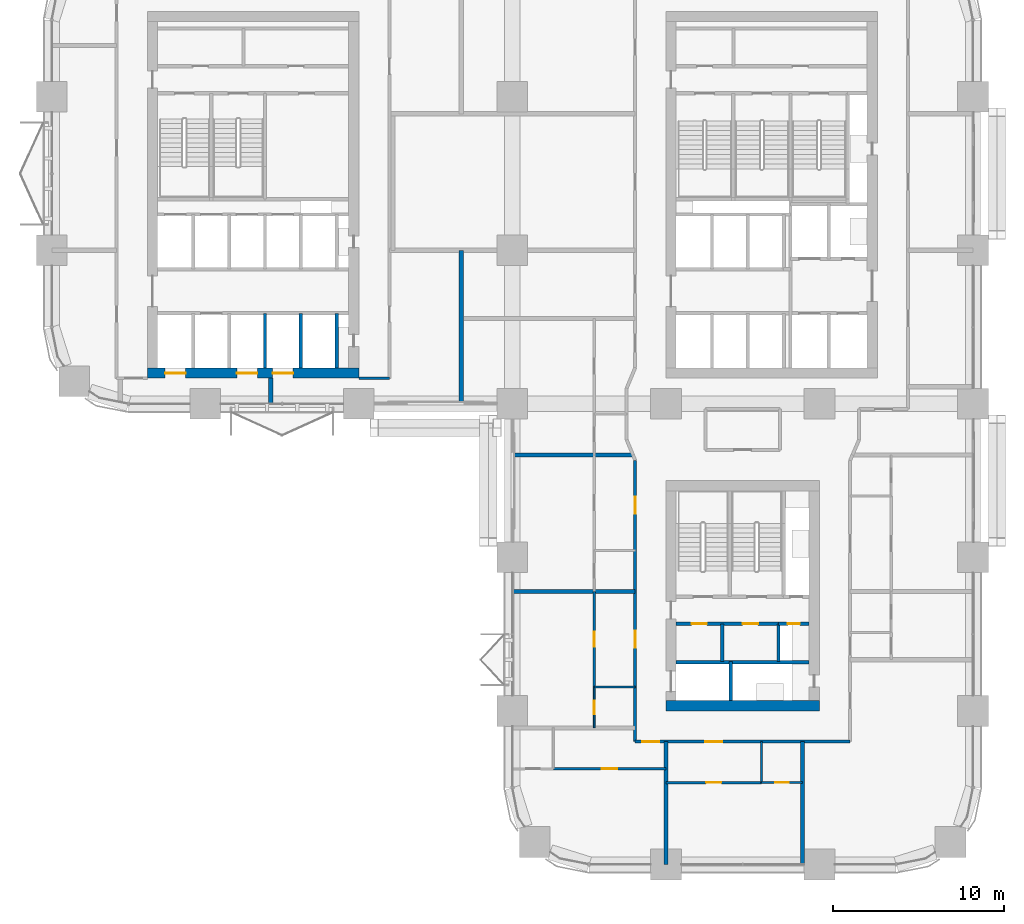
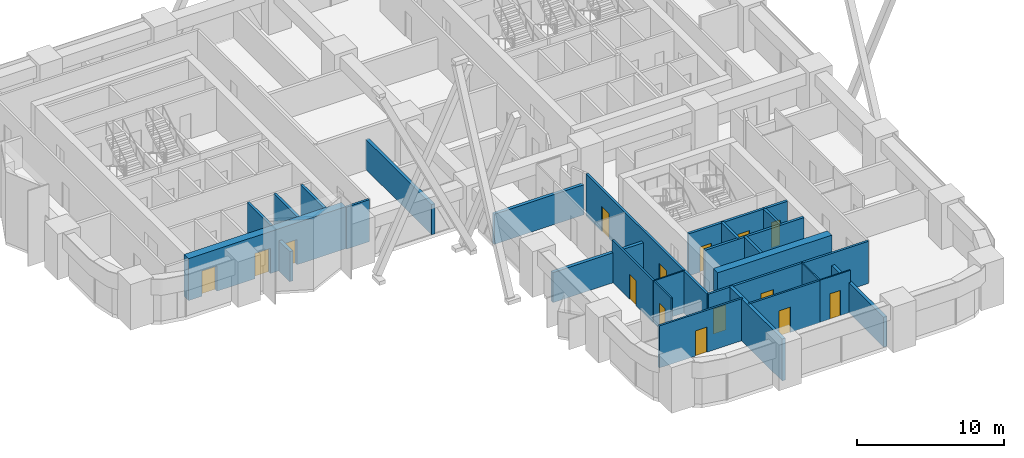
# One storey, part 12 of 19: 27 walls, 15 doors, 15 openings.
"""IFC4 building model written with IfcOpenShell, lengths in metres."""

from ifc_helpers import new_model, si_unit, direction, frame, frame_2d, origin, place, context, subcontext, project, spatial, rectangle, extrude, material, layer, layer_set, type_object, element, fill, save


model = new_model("IFC4")

# Units and contexts
model_context = context("Model", 3, precision=1e-05, world=origin(), true_north=direction((0.0, 1.0)))
body_context = subcontext(model_context, "Body", "Model", "MODEL_VIEW")
ifc_project = project(units=[si_unit("LENGTHUNIT", "METRE"), si_unit("AREAUNIT", "SQUARE_METRE"), si_unit("VOLUMEUNIT", "CUBIC_METRE"), si_unit("PLANEANGLEUNIT", "RADIAN"), si_unit("MASSUNIT", "GRAM", prefix="KILO")], contexts=[model_context])

# Site, building, storey
site_placement = place(None, origin())
site = spatial("IfcSite", under=ifc_project, at=site_placement, CompositionType="ELEMENT")
building_placement = place(site_placement, origin())
building = spatial("IfcBuilding", under=site, at=building_placement, Name="Tessera Arch", CompositionType="ELEMENT")
storey_placement = place(building_placement, frame((0.0, 0.0, 108.199951171875)))
storey = spatial("IfcBuildingStorey", under=building, at=storey_placement, Name="L25", CompositionType="ELEMENT", Elevation=108.199951171875)

# Wall
ifc_material_1 = material(Name="Gypsum board on steel stud", Category="steel")
ifc_layer_1 = layer(ifc_material_1, 0.125)
ifc_layer_set_1 = layer_set([ifc_layer_1], Name="Core partition 125 EI 60")
wall_type_1 = type_object("IfcWallType", Name="Core partition 125 EI 60", PredefinedType="PARTITIONING", material=ifc_layer_set_1)
wall_1_placement = place(storey_placement, frame((39.300048828125, 11.89990234375, 0.0), z_axis=(0.0, 0.0, 1.0), x_axis=(0.0, 1.0, 0.0)))
element("IfcWall", 1, at=wall_1_placement, inside=storey, type_object=wall_type_1, Name="L25 C3 partition wall 1", PredefinedType="PARTITIONING", context=body_context, shape_type="SweptSolid", body=[
    extrude(rectangle(XDim=2.2001953125, YDim=0.199951171875, at=frame_2d((1.10009765625, 0.0))), origin(), (0.0, 0.0, 1.0), 3.5),
])

# Wall, openings, doors
wall_2_placement = place(storey_placement, frame((36.60009765625, 14.10009765625, 0.0), z_axis=(0.0, 0.0, 1.0), x_axis=(1.0, 0.0, 0.0)))
wall_2 = element("IfcWall", 2, at=wall_2_placement, inside=storey, type_object=wall_type_1, Name="L25 C3 partition wall 9", PredefinedType="PARTITIONING", context=body_context, shape_type="SweptSolid", body=[
    extrude(rectangle(XDim=6.0, YDim=0.199951171875, at=frame_2d((3.0, 0.0))), origin(), (0.0, 0.0, 1.0), 3.5),
])
opening_1_placement = place(wall_2_placement, frame((0.89990234375, 0.0, 0.0)))
opening_1 = element("IfcOpeningElement", 3, at=opening_1_placement, cuts=wall_2, Name="Opening L25-C38", PredefinedType="OPENING", context=body_context, shape_type="SweptSolid", body=[
    extrude(rectangle(XDim=0.89990234375, YDim=2.10009765625, at=frame_2d((0.449951171875, 1.050048828125))), frame((0.0, 0.10986328125, 0.0), z_axis=(0.0, -1.0, 0.0), x_axis=(1.0, 0.0, 0.0)), (0.0, 0.0, 1.0), 0.219970703125),
])
opening_2_placement = place(wall_2_placement, frame((3.89990234375, 0.0, 0.0)))
opening_2 = element("IfcOpeningElement", 4, at=opening_2_placement, cuts=wall_2, Name="Opening L25-C39", PredefinedType="OPENING", context=body_context, shape_type="SweptSolid", body=[
    extrude(rectangle(XDim=0.89990234375, YDim=2.10009765625, at=frame_2d((0.449951171875, 1.050048828125))), frame((0.0, 0.10986328125, 0.0), z_axis=(0.0, -1.0, 0.0), x_axis=(1.0, 0.0, 0.0)), (0.0, 0.0, 1.0), 0.219970703125),
])
ifc_material_2 = material(Name="Steel door leaf", Category="steel")
door_type_1 = type_object("IfcDoorType", Name="Store door FD30S 900 x 2100", OperationType="SINGLE_SWING_LEFT", PredefinedType="DOOR", material=ifc_material_2)
door_1_placement = place(opening_1_placement, origin())
door_1 = element("IfcDoor", 5, at=door_1_placement, inside=storey, type_object=door_type_1, Name="L25 C3 door 8 C38 type D09", OperationType="SINGLE_SWING_LEFT", OverallHeight=2.10009765625, OverallWidth=0.89990234375, PredefinedType="DOOR", context=body_context, shape_type="SweptSolid", body=[
    extrude(rectangle(XDim=0.89990234375, YDim=2.10009765625, at=frame_2d((0.449951171875, 1.050048828125))), frame((0.0, 0.02490234375, 0.0), z_axis=(0.0, -1.0, 0.0), x_axis=(1.0, 0.0, 0.0)), (0.0, 0.0, 1.0), 0.050048828125),
])
fill(opening_1, door_1)
door_2_placement = place(opening_2_placement, origin())
door_2 = element("IfcDoor", 6, at=door_2_placement, inside=storey, type_object=door_type_1, Name="L25 C3 door 9 C39 type D09", OperationType="SINGLE_SWING_RIGHT", OverallHeight=2.10009765625, OverallWidth=0.89990234375, PredefinedType="DOOR", context=body_context, shape_type="SweptSolid", body=[
    extrude(rectangle(XDim=0.89990234375, YDim=2.10009765625, at=frame_2d((0.449951171875, 1.050048828125))), frame((0.0, 0.02490234375, 0.0), z_axis=(0.0, -1.0, 0.0), x_axis=(1.0, 0.0, 0.0)), (0.0, 0.0, 1.0), 0.050048828125),
])
fill(opening_2, door_2)

ifc_material_3 = material(Name="Concrete C70/85", Category="concrete")
ifc_layer_2 = layer(ifc_material_3, 0.60009765625)
ifc_layer_set_2 = layer_set([ifc_layer_2], Name="Core shell wall 600 C70-85")
wall_type_2 = type_object("IfcWallType", Name="Core shell wall 600 C70-85", PredefinedType="SHEAR", material=ifc_layer_set_2)
wall_3_placement = place(storey_placement, frame((5.60009765625, 28.800048828125, 0.0), z_axis=(0.0, 0.0, 1.0), x_axis=(1.0, 0.0, 0.0)))
wall_3 = element("IfcWall", 7, at=wall_3_placement, inside=storey, type_object=wall_type_2, Name="L25 C2 core wall S", PredefinedType="SHEAR", context=body_context, shape_type="SweptSolid", body=[
    extrude(rectangle(XDim=12.39990234375, YDim=0.60009765625, at=frame_2d((6.199951171875, 0.0))), origin(), (0.0, 0.0, 1.0), 3.5),
])
opening_3_placement = place(wall_3_placement, frame((1.050048828125, 0.0, 0.0)))
opening_3 = element("IfcOpeningElement", 8, at=opening_3_placement, cuts=wall_3, Name="Opening L25-C14", PredefinedType="OPENING", context=body_context, shape_type="SweptSolid", body=[
    extrude(rectangle(XDim=1.199951171875, YDim=2.10009765625, at=frame_2d((0.60009765625, 1.050048828125))), frame((0.0, 0.31005859375, 0.0), z_axis=(0.0, -1.0, 0.0), x_axis=(1.0, 0.0, 0.0)), (0.0, 0.0, 1.0), 0.6201171875),
])
opening_4_placement = place(wall_3_placement, frame((5.25, 0.0, 0.0)))
opening_4 = element("IfcOpeningElement", 9, at=opening_4_placement, cuts=wall_3, Name="Opening L25-C16", PredefinedType="OPENING", context=body_context, shape_type="SweptSolid", body=[
    extrude(rectangle(XDim=1.199951171875, YDim=2.10009765625, at=frame_2d((0.60009765625, 1.050048828125))), frame((0.0, 0.31005859375, 0.0), z_axis=(0.0, -1.0, 0.0), x_axis=(1.0, 0.0, 0.0)), (0.0, 0.0, 1.0), 0.6201171875),
])
opening_5_placement = place(wall_3_placement, frame((7.35009765625, 0.0, 0.0)))
opening_5 = element("IfcOpeningElement", 10, at=opening_5_placement, cuts=wall_3, Name="Opening L25-C17", PredefinedType="OPENING", context=body_context, shape_type="SweptSolid", body=[
    extrude(rectangle(XDim=1.199951171875, YDim=2.10009765625, at=frame_2d((0.60009765625, 1.050048828125))), frame((0.0, 0.31005859375, 0.0), z_axis=(0.0, -1.0, 0.0), x_axis=(1.0, 0.0, 0.0)), (0.0, 0.0, 1.0), 0.6201171875),
])
ifc_material_4 = material(Name="Stainless steel AISI 304", Category="steel")
door_type_2 = type_object("IfcDoorType", Name="Sliding landing door 1200 x 2100", OperationType="SLIDING_TO_LEFT", PredefinedType="DOOR", material=ifc_material_4)
door_3_placement = place(opening_3_placement, origin())
door_3 = element("IfcDoor", 11, at=door_3_placement, inside=storey, type_object=door_type_2, Name="L25 LR1 lift landing door C14 type LD", OperationType="SLIDING_TO_LEFT", OverallHeight=2.10009765625, OverallWidth=1.199951171875, PredefinedType="DOOR", context=body_context, shape_type="SweptSolid", body=[
    extrude(rectangle(XDim=1.199951171875, YDim=2.10009765625, at=frame_2d((0.60009765625, 1.050048828125))), frame((0.0, 0.02490234375, 0.0), z_axis=(0.0, -1.0, 0.0), x_axis=(1.0, 0.0, 0.0)), (0.0, 0.0, 1.0), 0.050048828125),
])
fill(opening_3, door_3)
door_4_placement = place(opening_4_placement, origin())
door_4 = element("IfcDoor", 12, at=door_4_placement, inside=storey, type_object=door_type_2, Name="L25 LR3 lift landing door C16 type LD", OperationType="SLIDING_TO_LEFT", OverallHeight=2.10009765625, OverallWidth=1.199951171875, PredefinedType="DOOR", context=body_context, shape_type="SweptSolid", body=[
    extrude(rectangle(XDim=1.199951171875, YDim=2.10009765625, at=frame_2d((0.60009765625, 1.050048828125))), frame((0.0, 0.02490234375, 0.0), z_axis=(0.0, -1.0, 0.0), x_axis=(1.0, 0.0, 0.0)), (0.0, 0.0, 1.0), 0.050048828125),
])
fill(opening_4, door_4)
door_5_placement = place(opening_5_placement, origin())
door_5 = element("IfcDoor", 13, at=door_5_placement, inside=storey, type_object=door_type_2, Name="L25 LR4 lift landing door C17 type LD", OperationType="SLIDING_TO_LEFT", OverallHeight=2.10009765625, OverallWidth=1.199951171875, PredefinedType="DOOR", context=body_context, shape_type="SweptSolid", body=[
    extrude(rectangle(XDim=1.199951171875, YDim=2.10009765625, at=frame_2d((0.60009765625, 1.050048828125))), frame((0.0, 0.02490234375, 0.0), z_axis=(0.0, -1.0, 0.0), x_axis=(1.0, 0.0, 0.0)), (0.0, 0.0, 1.0), 0.050048828125),
])
fill(opening_5, door_5)

# Wall
wall_4_placement = place(storey_placement, frame((36.0, 9.300048828125, 0.0), z_axis=(0.0, 0.0, 1.0), x_axis=(1.0, 0.0, 0.0)))
element("IfcWall", 14, at=wall_4_placement, inside=storey, type_object=wall_type_2, Name="L25 C3 core wall S", PredefinedType="SHEAR", context=body_context, shape_type="SweptSolid", body=[
    extrude(rectangle(XDim=9.0, YDim=0.60009765625, at=frame_2d((4.5, 0.0))), origin(), (0.0, 0.0, 1.0), 3.5),
])

# Wall, openings, doors
ifc_material_5 = material(Name="Gypsum board on deep steel stud with mineral wool", Category="steel")
ifc_layer_3 = layer(ifc_material_5, 0.175048828125)
ifc_layer_set_3 = layer_set([ifc_layer_3], Name="Corridor wall 175 EI 60")
wall_type_3 = type_object("IfcWallType", Name="Corridor wall 175 EI 60", PredefinedType="PARTITIONING", material=ifc_layer_set_3)
wall_5_placement = place(storey_placement, frame((34.199951171875, 7.199951171875, 0.0), z_axis=(0.0, 0.0, 1.0), x_axis=(1.0, 0.0, 0.0)))
wall_5 = element("IfcWall", 15, at=wall_5_placement, inside=storey, type_object=wall_type_3, Name="L25 partition 1", PredefinedType="PARTITIONING", context=body_context, shape_type="SweptSolid", body=[
    extrude(rectangle(XDim=12.60009765625, YDim=0.175048828125, at=frame_2d((6.300048828125, 0.0))), origin(), (0.0, 0.0, 1.0), 3.5),
])
opening_6_placement = place(wall_5_placement, frame((4.10009765625, 0.0, 0.0)))
opening_6 = element("IfcOpeningElement", 16, at=opening_6_placement, cuts=wall_5, Name="Opening L25-D001", PredefinedType="OPENING", context=body_context, shape_type="SweptSolid", body=[
    extrude(rectangle(XDim=1.0, YDim=2.10009765625, at=frame_2d((0.5, 1.050048828125))), frame((0.0, 0.097412109375, 0.0), z_axis=(0.0, -1.0, 0.0), x_axis=(1.0, 0.0, 0.0)), (0.0, 0.0, 1.0), 0.195068359375),
])
opening_7_placement = place(wall_5_placement, frame((0.39990234375, 0.0, 0.0)))
opening_7 = element("IfcOpeningElement", 17, at=opening_7_placement, cuts=wall_5, Name="Opening L25-D004", PredefinedType="OPENING", context=body_context, shape_type="SweptSolid", body=[
    extrude(rectangle(XDim=1.0, YDim=2.10009765625, at=frame_2d((0.5, 1.050048828125))), frame((0.0, 0.097412109375, 0.0), z_axis=(0.0, -1.0, 0.0), x_axis=(1.0, 0.0, 0.0)), (0.0, 0.0, 1.0), 0.195068359375),
])
ifc_material_6 = material(Name="Fire-rated door leaf")
door_type_3 = type_object("IfcDoorType", Name="Entrance door FD30S 1000 x 2100", OperationType="SINGLE_SWING_LEFT", PredefinedType="DOOR", material=ifc_material_6)
door_6_placement = place(opening_6_placement, origin())
door_6 = element("IfcDoor", 18, at=door_6_placement, inside=storey, type_object=door_type_3, Name="L25 door D001 type D03", OperationType="SINGLE_SWING_RIGHT", OverallHeight=2.10009765625, OverallWidth=1.0, PredefinedType="DOOR", context=body_context, shape_type="SweptSolid", body=[
    extrude(rectangle(XDim=1.0, YDim=2.10009765625, at=frame_2d((0.5, 1.050048828125))), frame((0.0, 0.02490234375, 0.0), z_axis=(0.0, -1.0, 0.0), x_axis=(1.0, 0.0, 0.0)), (0.0, 0.0, 1.0), 0.050048828125),
])
fill(opening_6, door_6)
door_7_placement = place(opening_7_placement, origin())
door_7 = element("IfcDoor", 19, at=door_7_placement, inside=storey, type_object=door_type_3, Name="L25 door D004 type D03", OperationType="SINGLE_SWING_LEFT", OverallHeight=2.10009765625, OverallWidth=1.0, PredefinedType="DOOR", context=body_context, shape_type="SweptSolid", body=[
    extrude(rectangle(XDim=1.0, YDim=2.10009765625, at=frame_2d((0.5, 1.050048828125))), frame((0.0, 0.02490234375, 0.0), z_axis=(0.0, -1.0, 0.0), x_axis=(1.0, 0.0, 0.0)), (0.0, 0.0, 1.0), 0.050048828125),
])
fill(opening_7, door_7)

# Wall
wall_6_placement = place(storey_placement, frame((18.0, 28.5, 0.0), z_axis=(0.0, 0.0, 1.0), x_axis=(1.0, 0.0, 0.0)))
element("IfcWall", 20, at=wall_6_placement, inside=storey, type_object=wall_type_3, Name="L25 partition 6", PredefinedType="PARTITIONING", context=body_context, shape_type="SweptSolid", body=[
    extrude(rectangle(XDim=1.800048828125, YDim=0.175048828125, at=frame_2d((0.89990234375, 0.0))), origin(), (0.0, 0.0, 1.0), 3.5),
])

# Wall, openings, doors
wall_7_placement = place(storey_placement, frame((34.199951171875, 7.199951171875, 0.0), z_axis=(0.0, 0.0, 1.0), x_axis=(0.0, 1.0, 0.0)))
wall_7 = element("IfcWall", 21, at=wall_7_placement, inside=storey, type_object=wall_type_3, Name="L25 partition 12", PredefinedType="PARTITIONING", context=body_context, shape_type="SweptSolid", body=[
    extrude(rectangle(XDim=16.489990234375, YDim=0.175048828125, at=frame_2d((8.2451171875, 0.0))), origin(), (0.0, 0.0, 1.0), 3.5),
])
opening_8_placement = place(wall_7_placement, frame((5.5, 0.0, 0.0)))
opening_8 = element("IfcOpeningElement", 22, at=opening_8_placement, cuts=wall_7, Name="Opening L25-D008", PredefinedType="OPENING", context=body_context, shape_type="SweptSolid", body=[
    extrude(rectangle(XDim=1.0, YDim=2.10009765625, at=frame_2d((0.5, 1.050048828125))), frame((0.0, 0.097412109375, 0.0), z_axis=(0.0, -1.0, 0.0), x_axis=(1.0, 0.0, 0.0)), (0.0, 0.0, 1.0), 0.195068359375),
])
opening_9_placement = place(wall_7_placement, frame((13.344970703125, 0.0, 0.0)))
opening_9 = element("IfcOpeningElement", 23, at=opening_9_placement, cuts=wall_7, Name="Opening L25-D014", PredefinedType="OPENING", context=body_context, shape_type="SweptSolid", body=[
    extrude(rectangle(XDim=1.0, YDim=2.10009765625, at=frame_2d((0.5, 1.050048828125))), frame((0.0, 0.097412109375, 0.0), z_axis=(0.0, -1.0, 0.0), x_axis=(1.0, 0.0, 0.0)), (0.0, 0.0, 1.0), 0.195068359375),
])
door_8_placement = place(opening_8_placement, origin())
door_8 = element("IfcDoor", 24, at=door_8_placement, inside=storey, type_object=door_type_3, Name="L25 door D008 type D03", OperationType="SINGLE_SWING_RIGHT", OverallHeight=2.10009765625, OverallWidth=1.0, PredefinedType="DOOR", context=body_context, shape_type="SweptSolid", body=[
    extrude(rectangle(XDim=1.0, YDim=2.10009765625, at=frame_2d((0.5, 1.050048828125))), frame((0.0, 0.02490234375, 0.0), z_axis=(0.0, -1.0, 0.0), x_axis=(1.0, 0.0, 0.0)), (0.0, 0.0, 1.0), 0.050048828125),
])
fill(opening_8, door_8)
door_9_placement = place(opening_9_placement, origin())
door_9 = element("IfcDoor", 25, at=door_9_placement, inside=storey, type_object=door_type_3, Name="L25 door D014 type D03", OperationType="SINGLE_SWING_RIGHT", OverallHeight=2.10009765625, OverallWidth=1.0, PredefinedType="DOOR", context=body_context, shape_type="SweptSolid", body=[
    extrude(rectangle(XDim=1.0, YDim=2.10009765625, at=frame_2d((0.5, 1.050048828125))), frame((0.0, 0.02490234375, 0.0), z_axis=(0.0, -1.0, 0.0), x_axis=(1.0, 0.0, 0.0)), (0.0, 0.0, 1.0), 0.050048828125),
])
fill(opening_9, door_9)

# Wall, opening, door
ifc_material_7 = material(Name="Gypsum board on steel stud", Category="steel")
ifc_layer_4 = layer(ifc_material_7, 0.14990234375)
ifc_layer_set_4 = layer_set([ifc_layer_4], Name="Partition 150")
wall_type_4 = type_object("IfcWallType", Name="Partition 150", PredefinedType="PARTITIONING", material=ifc_layer_set_4)
wall_8_placement = place(storey_placement, frame((36.0, 4.800048828125, 0.0), z_axis=(0.0, 0.0, 1.0), x_axis=(1.0, 0.0, 0.0)))
wall_8 = element("IfcWall", 26, at=wall_8_placement, inside=storey, type_object=wall_type_4, Name="L25 partition 19", PredefinedType="PARTITIONING", context=body_context, shape_type="SweptSolid", body=[
    extrude(rectangle(XDim=5.60009765625, YDim=0.14990234375, at=frame_2d((2.800048828125, 0.0))), origin(), (0.0, 0.0, 1.0), 3.5),
])
opening_10_placement = place(wall_8_placement, frame((2.35009765625, 0.0, 0.0)))
opening_10 = element("IfcOpeningElement", 27, at=opening_10_placement, cuts=wall_8, Name="Opening L25-D002", PredefinedType="OPENING", context=body_context, shape_type="SweptSolid", body=[
    extrude(rectangle(XDim=0.89990234375, YDim=2.10009765625, at=frame_2d((0.449951171875, 1.050048828125))), frame((0.0, 0.0849609375, 0.0), z_axis=(0.0, -1.0, 0.0), x_axis=(1.0, 0.0, 0.0)), (0.0, 0.0, 1.0), 0.169921875),
])
ifc_material_8 = material(Name="Timber door leaf", Category="wood")
door_type_4 = type_object("IfcDoorType", Name="Room door 900 x 2100", OperationType="SINGLE_SWING_LEFT", PredefinedType="DOOR", material=ifc_material_8)
door_10_placement = place(opening_10_placement, origin())
door_10 = element("IfcDoor", 28, at=door_10_placement, inside=storey, type_object=door_type_4, Name="L25 door D002 type D01", OperationType="SINGLE_SWING_LEFT", OverallHeight=2.10009765625, OverallWidth=0.89990234375, PredefinedType="DOOR", context=body_context, shape_type="SweptSolid", body=[
    extrude(rectangle(XDim=0.89990234375, YDim=2.10009765625, at=frame_2d((0.449951171875, 1.050048828125))), frame((0.0, 0.02490234375, 0.0), z_axis=(0.0, -1.0, 0.0), x_axis=(1.0, 0.0, 0.0)), (0.0, 0.0, 1.0), 0.050048828125),
])
fill(opening_10, door_10)

wall_9_placement = place(storey_placement, frame((29.39990234375, 5.60009765625, 0.0), z_axis=(0.0, 0.0, 1.0), x_axis=(1.0, 0.0, 0.0)))
wall_9 = element("IfcWall", 29, at=wall_9_placement, inside=storey, type_object=wall_type_4, Name="L25 partition 20", PredefinedType="PARTITIONING", context=body_context, shape_type="SweptSolid", body=[
    extrude(rectangle(XDim=6.60009765625, YDim=0.14990234375, at=frame_2d((3.300048828125, 0.0))), origin(), (0.0, 0.0, 1.0), 3.5),
])
opening_11_placement = place(wall_9_placement, frame((2.85009765625, 0.0, 0.0)))
opening_11 = element("IfcOpeningElement", 30, at=opening_11_placement, cuts=wall_9, Name="Opening L25-D005", PredefinedType="OPENING", context=body_context, shape_type="SweptSolid", body=[
    extrude(rectangle(XDim=0.89990234375, YDim=2.10009765625, at=frame_2d((0.449951171875, 1.050048828125))), frame((0.0, 0.0849609375, 0.0), z_axis=(0.0, -1.0, 0.0), x_axis=(1.0, 0.0, 0.0)), (0.0, 0.0, 1.0), 0.169921875),
])
door_11_placement = place(opening_11_placement, origin())
door_11 = element("IfcDoor", 31, at=door_11_placement, inside=storey, type_object=door_type_4, Name="L25 door D005 type D01", OperationType="SINGLE_SWING_RIGHT", OverallHeight=2.10009765625, OverallWidth=0.89990234375, PredefinedType="DOOR", context=body_context, shape_type="SweptSolid", body=[
    extrude(rectangle(XDim=0.89990234375, YDim=2.10009765625, at=frame_2d((0.449951171875, 1.050048828125))), frame((0.0, 0.02490234375, 0.0), z_axis=(0.0, -1.0, 0.0), x_axis=(1.0, 0.0, 0.0)), (0.0, 0.0, 1.0), 0.050048828125),
])
fill(opening_11, door_11)

wall_10_placement = place(storey_placement, frame((31.800048828125, 10.39990234375, 0.0), z_axis=(0.0, 0.0, 1.0), x_axis=(0.0, 1.0, 0.0)))
wall_10 = element("IfcWall", 32, at=wall_10_placement, inside=storey, type_object=wall_type_4, Name="L25 partition 21", PredefinedType="PARTITIONING", context=body_context, shape_type="SweptSolid", body=[
    extrude(rectangle(XDim=5.60009765625, YDim=0.14990234375, at=frame_2d((2.800048828125, 0.0))), origin(), (0.0, 0.0, 1.0), 3.5),
])
opening_12_placement = place(wall_10_placement, frame((2.35009765625, 0.0, 0.0)))
opening_12 = element("IfcOpeningElement", 33, at=opening_12_placement, cuts=wall_10, Name="Opening L25-D009", PredefinedType="OPENING", context=body_context, shape_type="SweptSolid", body=[
    extrude(rectangle(XDim=0.89990234375, YDim=2.10009765625, at=frame_2d((0.449951171875, 1.050048828125))), frame((0.0, 0.0849609375, 0.0), z_axis=(0.0, -1.0, 0.0), x_axis=(1.0, 0.0, 0.0)), (0.0, 0.0, 1.0), 0.169921875),
])
door_12_placement = place(opening_12_placement, origin())
door_12 = element("IfcDoor", 34, at=door_12_placement, inside=storey, type_object=door_type_4, Name="L25 door D009 type D01", OperationType="SINGLE_SWING_LEFT", OverallHeight=2.10009765625, OverallWidth=0.89990234375, PredefinedType="DOOR", context=body_context, shape_type="SweptSolid", body=[
    extrude(rectangle(XDim=0.89990234375, YDim=2.10009765625, at=frame_2d((0.449951171875, 1.050048828125))), frame((0.0, 0.02490234375, 0.0), z_axis=(0.0, -1.0, 0.0), x_axis=(1.0, 0.0, 0.0)), (0.0, 0.0, 1.0), 0.050048828125),
])
fill(opening_12, door_12)

# Walls
ifc_material_9 = material(Name="Double gypsum board on twin steel stud with acoustic mineral wool", Category="steel")
ifc_layer_5 = layer(ifc_material_9, 0.25)
ifc_layer_set_5 = layer_set([ifc_layer_5], Name="Party wall 250 EI 60")
wall_type_5 = type_object("IfcWallType", Name="Party wall 250 EI 60", PredefinedType="PARTITIONING", material=ifc_layer_set_5)
wall_11_placement = place(storey_placement, frame((27.0, 16.0, 0.0), z_axis=(0.0, 0.0, 1.0), x_axis=(1.0, 0.0, 0.0)))
element("IfcWall", 35, at=wall_11_placement, inside=storey, type_object=wall_type_5, Name="L25 partition 28", PredefinedType="PARTITIONING", context=body_context, shape_type="SweptSolid", body=[
    extrude(rectangle(XDim=7.199951171875, YDim=0.25, at=frame_2d((3.60009765625, 0.0))), origin(), (0.0, 0.0, 1.0), 2.5),
])
wall_12_placement = place(storey_placement, frame((27.0, 24.0, 0.0), z_axis=(0.0, 0.0, 1.0), x_axis=(1.0, 0.0, 0.0)))
element("IfcWall", 36, at=wall_12_placement, inside=storey, type_object=wall_type_5, Name="L25 partition 30", PredefinedType="PARTITIONING", context=body_context, shape_type="SweptSolid", body=[
    extrude(rectangle(XDim=7.07080078125, YDim=0.25, at=frame_2d((3.535400390625, 0.0))), origin(), (0.0, 0.0, 1.0), 2.5),
])
wall_13_placement = place(storey_placement, frame((12.8330078125, 27.0, 0.0), z_axis=(0.0, 0.0, 1.0), x_axis=(0.0, 1.0, 0.0)))
element("IfcWall", 37, at=wall_13_placement, inside=storey, type_object=wall_type_5, Name="L25 partition 43", PredefinedType="PARTITIONING", context=body_context, shape_type="SweptSolid", body=[
    extrude(rectangle(XDim=1.5, YDim=0.25, at=frame_2d((0.75, 0.0))), origin(), (0.0, 0.0, 1.0), 2.5),
])
wall_14_placement = place(storey_placement, frame((24.0, 27.0, 0.0), z_axis=(0.0, 0.0, 1.0), x_axis=(0.0, 1.0, 0.0)))
element("IfcWall", 38, at=wall_14_placement, inside=storey, type_object=wall_type_5, Name="L25 partition 45", PredefinedType="PARTITIONING", context=body_context, shape_type="SweptSolid", body=[
    extrude(rectangle(XDim=9.0, YDim=0.25, at=frame_2d((4.5, 0.0))), origin(), (0.0, 0.0, 1.0), 2.5),
])
wall_15_placement = place(storey_placement, frame((36.0, 0.0, 0.0), z_axis=(0.0, 0.0, 1.0), x_axis=(0.0, 1.0, 0.0)))
element("IfcWall", 39, at=wall_15_placement, inside=storey, type_object=wall_type_5, Name="L25 partition 47", PredefinedType="PARTITIONING", context=body_context, shape_type="SweptSolid", body=[
    extrude(rectangle(XDim=7.199951171875, YDim=0.25, at=frame_2d((3.60009765625, 0.0))), origin(), (0.0, 0.0, 1.0), 3.5),
])
wall_16_placement = place(storey_placement, frame((44.0, 0.0, 0.0), z_axis=(0.0, 0.0, 1.0), x_axis=(0.0, 1.0, 0.0)))
element("IfcWall", 40, at=wall_16_placement, inside=storey, type_object=wall_type_5, Name="L25 partition 49", PredefinedType="PARTITIONING", context=body_context, shape_type="SweptSolid", body=[
    extrude(rectangle(XDim=7.199951171875, YDim=0.25, at=frame_2d((3.60009765625, 0.0))), origin(), (0.0, 0.0, 1.0), 2.5),
])
ifc_material_10 = material(Name="Concrete C40/50", Category="concrete")
ifc_layer_6 = layer(ifc_material_10, 0.199951171875)
ifc_layer_set_6 = layer_set([ifc_layer_6], Name="Shaft wall 200 EI 120")
wall_type_6 = type_object("IfcWallType", Name="Shaft wall 200 EI 120", PredefinedType="SOLIDWALL", material=ifc_layer_set_6)
for number, where, z_axis, x_axis, name in (
    (41, (12.5, 29.10009765625, 0.0), (0.0, 0.0, 1.0), (0.0, 1.0, 0.0), "L25 C2 shaft wall 8"),
    (42, (14.60009765625, 29.10009765625, 0.0), (0.0, 0.0, 1.0), (0.0, 1.0, 0.0), "L25 C2 shaft wall 12"),
    (43, (16.699951171875, 29.10009765625, 0.0), (0.0, 0.0, 1.0), (0.0, 1.0, 0.0), "L25 C2 shaft wall 14"),
):
    element("IfcWall", number, at=place(storey_placement, frame(where, z_axis=z_axis, x_axis=x_axis)), inside=storey, type_object=wall_type_6, Name=name, PredefinedType="SOLIDWALL", context=body_context, shape_type="SweptSolid", body=[
        extrude(rectangle(XDim=3.199951171875, YDim=0.199951171875, at=frame_2d((1.60009765625, 0.0))), origin(), (0.0, 0.0, 1.0), 3.5),
    ])
wall_17_placement = place(storey_placement, frame((39.800048828125, 9.60009765625, 0.0), z_axis=(0.0, 0.0, 1.0), x_axis=(0.0, 1.0, 0.0)))
element("IfcWall", 44, at=wall_17_placement, inside=storey, type_object=wall_type_6, Name="L25 C3 shaft wall 4", PredefinedType="SOLIDWALL", context=body_context, shape_type="SweptSolid", body=[
    extrude(rectangle(XDim=2.2998046875, YDim=0.199951171875, at=frame_2d((1.14990234375, 0.0))), origin(), (0.0, 0.0, 1.0), 3.5),
])
wall_18_placement = place(storey_placement, frame((42.60009765625, 11.89990234375, 0.0), z_axis=(0.0, 0.0, 1.0), x_axis=(0.0, 1.0, 0.0)))
element("IfcWall", 45, at=wall_18_placement, inside=storey, type_object=wall_type_6, Name="L25 C3 shaft wall 5", PredefinedType="SOLIDWALL", context=body_context, shape_type="SweptSolid", body=[
    extrude(rectangle(XDim=2.2001953125, YDim=0.199951171875, at=frame_2d((1.10009765625, 0.0))), origin(), (0.0, 0.0, 1.0), 3.5),
])
wall_19_placement = place(storey_placement, frame((36.60009765625, 11.85009765625, 0.0), z_axis=(0.0, 0.0, 1.0), x_axis=(1.0, 0.0, 0.0)))
element("IfcWall", 46, at=wall_19_placement, inside=storey, type_object=wall_type_6, Name="L25 C3 shaft wall 8", PredefinedType="SOLIDWALL", context=body_context, shape_type="SweptSolid", body=[
    extrude(rectangle(XDim=7.7998046875, YDim=0.199951171875, at=frame_2d((3.89990234375, 0.0))), origin(), (0.0, 0.0, 1.0), 3.5),
])

# Wall, opening, door
wall_20_placement = place(storey_placement, frame((42.60009765625, 14.10009765625, 0.0), z_axis=(0.0, 0.0, 1.0), x_axis=(1.0, 0.0, 0.0)))
wall_20 = element("IfcWall", 47, at=wall_20_placement, inside=storey, type_object=wall_type_6, Name="L25 C3 shaft wall 10", PredefinedType="SOLIDWALL", context=body_context, shape_type="SweptSolid", body=[
    extrude(rectangle(XDim=1.7998046875, YDim=0.199951171875, at=frame_2d((0.89990234375, 0.0))), origin(), (0.0, 0.0, 1.0), 3.5),
])
opening_13_placement = place(wall_20_placement, frame((0.550048828125, 0.0, 0.0)))
opening_13 = element("IfcOpeningElement", 48, at=opening_13_placement, cuts=wall_20, Name="Opening L25-C35", PredefinedType="OPENING", context=body_context, shape_type="SweptSolid", body=[
    extrude(rectangle(XDim=0.699951171875, YDim=2.10009765625, at=frame_2d((0.35009765625, 1.050048828125))), frame((0.0, 0.10986328125, 0.0), z_axis=(0.0, -1.0, 0.0), x_axis=(1.0, 0.0, 0.0)), (0.0, 0.0, 1.0), 0.219970703125),
])
ifc_material_11 = material(Name="Steel door leaf", Category="steel")
door_type_5 = type_object("IfcDoorType", Name="Service shaft door FD60 700 x 2100", OperationType="SINGLE_SWING_LEFT", PredefinedType="DOOR", material=ifc_material_11)
door_13_placement = place(opening_13_placement, origin())
door_13 = element("IfcDoor", 49, at=door_13_placement, inside=storey, type_object=door_type_5, Name="L25 C3 door 5 C35 type D07", OperationType="SINGLE_SWING_RIGHT", OverallHeight=2.10009765625, OverallWidth=0.699951171875, PredefinedType="DOOR", context=body_context, shape_type="SweptSolid", body=[
    extrude(rectangle(XDim=0.699951171875, YDim=2.10009765625, at=frame_2d((0.35009765625, 1.050048828125))), frame((0.0, 0.02490234375, 0.0), z_axis=(0.0, -1.0, 0.0), x_axis=(1.0, 0.0, 0.0)), (0.0, 0.0, 1.0), 0.050048828125),
])
fill(opening_13, door_13)

ifc_material_12 = material(Name="Moisture-resistant board on pre-plumbed steel stud", Category="steel")
ifc_layer_7 = layer(ifc_material_12, 0.10009765625)
ifc_layer_set_7 = layer_set([ifc_layer_7], Name="Wet wall 100")
wall_type_7 = type_object("IfcWallType", Name="Wet wall 100", PredefinedType="PARTITIONING", material=ifc_layer_set_7)
wall_21_placement = place(storey_placement, frame((41.60009765625, 4.800048828125, 0.0), z_axis=(0.0, 0.0, 1.0), x_axis=(1.0, 0.0, 0.0)))
wall_21 = element("IfcWall", 50, at=wall_21_placement, inside=storey, type_object=wall_type_7, Name="L25 partition 51", PredefinedType="PARTITIONING", context=body_context, shape_type="SweptSolid", body=[
    extrude(rectangle(XDim=2.39990234375, YDim=0.10009765625, at=frame_2d((1.199951171875, 0.0))), origin(), (0.0, 0.0, 1.0), 3.5),
])
opening_14_placement = place(wall_21_placement, frame((0.800048828125, 0.0, 0.0)))
opening_14 = element("IfcOpeningElement", 51, at=opening_14_placement, cuts=wall_21, Name="Opening L25-D003", PredefinedType="OPENING", context=body_context, shape_type="SweptSolid", body=[
    extrude(rectangle(XDim=0.800048828125, YDim=2.10009765625, at=frame_2d((0.39990234375, 1.050048828125))), frame((0.0, 0.06005859375, 0.0), z_axis=(0.0, -1.0, 0.0), x_axis=(1.0, 0.0, 0.0)), (0.0, 0.0, 1.0), 0.1201171875),
])
ifc_material_13 = material(Name="Timber door leaf", Category="wood")
door_type_6 = type_object("IfcDoorType", Name="En-suite door 800 x 2100", OperationType="SINGLE_SWING_LEFT", PredefinedType="DOOR", material=ifc_material_13)
door_14_placement = place(opening_14_placement, origin())
door_14 = element("IfcDoor", 52, at=door_14_placement, inside=storey, type_object=door_type_6, Name="L25 door D003 type D02", OperationType="SINGLE_SWING_RIGHT", OverallHeight=2.10009765625, OverallWidth=0.800048828125, PredefinedType="DOOR", context=body_context, shape_type="SweptSolid", body=[
    extrude(rectangle(XDim=0.800048828125, YDim=2.10009765625, at=frame_2d((0.39990234375, 1.050048828125))), frame((0.0, 0.02490234375, 0.0), z_axis=(0.0, -1.0, 0.0), x_axis=(1.0, 0.0, 0.0)), (0.0, 0.0, 1.0), 0.050048828125),
])
fill(opening_14, door_14)

# Wall
wall_22_placement = place(storey_placement, frame((31.800048828125, 10.39990234375, 0.0), z_axis=(0.0, 0.0, 1.0), x_axis=(1.0, 0.0, 0.0)))
element("IfcWall", 53, at=wall_22_placement, inside=storey, type_object=wall_type_7, Name="L25 partition 53", PredefinedType="PARTITIONING", context=body_context, shape_type="SweptSolid", body=[
    extrude(rectangle(XDim=2.39990234375, YDim=0.10009765625, at=frame_2d((1.199951171875, 0.0))), origin(), (0.0, 0.0, 1.0), 3.5),
])

# Wall, opening, door
wall_23_placement = place(storey_placement, frame((31.800048828125, 8.0, 0.0), z_axis=(0.0, 0.0, 1.0), x_axis=(0.0, 1.0, 0.0)))
wall_23 = element("IfcWall", 54, at=wall_23_placement, inside=storey, type_object=wall_type_7, Name="L25 partition 59", PredefinedType="PARTITIONING", context=body_context, shape_type="SweptSolid", body=[
    extrude(rectangle(XDim=2.39990234375, YDim=0.10009765625, at=frame_2d((1.199951171875, 0.0))), origin(), (0.0, 0.0, 1.0), 3.5),
])
opening_15_placement = place(wall_23_placement, frame((0.800048828125, 0.0, 0.0)))
opening_15 = element("IfcOpeningElement", 55, at=opening_15_placement, cuts=wall_23, Name="Opening L25-D010", PredefinedType="OPENING", context=body_context, shape_type="SweptSolid", body=[
    extrude(rectangle(XDim=0.800048828125, YDim=2.10009765625, at=frame_2d((0.39990234375, 1.050048828125))), frame((0.0, 0.06005859375, 0.0), z_axis=(0.0, -1.0, 0.0), x_axis=(1.0, 0.0, 0.0)), (0.0, 0.0, 1.0), 0.1201171875),
])
door_15_placement = place(opening_15_placement, origin())
door_15 = element("IfcDoor", 56, at=door_15_placement, inside=storey, type_object=door_type_6, Name="L25 door D010 type D02", OperationType="SINGLE_SWING_RIGHT", OverallHeight=2.10009765625, OverallWidth=0.800048828125, PredefinedType="DOOR", context=body_context, shape_type="SweptSolid", body=[
    extrude(rectangle(XDim=0.800048828125, YDim=2.10009765625, at=frame_2d((0.39990234375, 1.050048828125))), frame((0.0, 0.02490234375, 0.0), z_axis=(0.0, -1.0, 0.0), x_axis=(1.0, 0.0, 0.0)), (0.0, 0.0, 1.0), 0.050048828125),
])
fill(opening_15, door_15)

# Wall
wall_24_placement = place(storey_placement, frame((41.60009765625, 4.800048828125, 0.0), z_axis=(0.0, 0.0, 1.0), x_axis=(0.0, 1.0, 0.0)))
element("IfcWall", 57, at=wall_24_placement, inside=storey, type_object=wall_type_7, Name="L25 partition 62", PredefinedType="PARTITIONING", context=body_context, shape_type="SweptSolid", body=[
    extrude(rectangle(XDim=2.39990234375, YDim=0.10009765625, at=frame_2d((1.199951171875, 0.0))), origin(), (0.0, 0.0, 1.0), 3.5),
])

save(model, "model.ifc")
